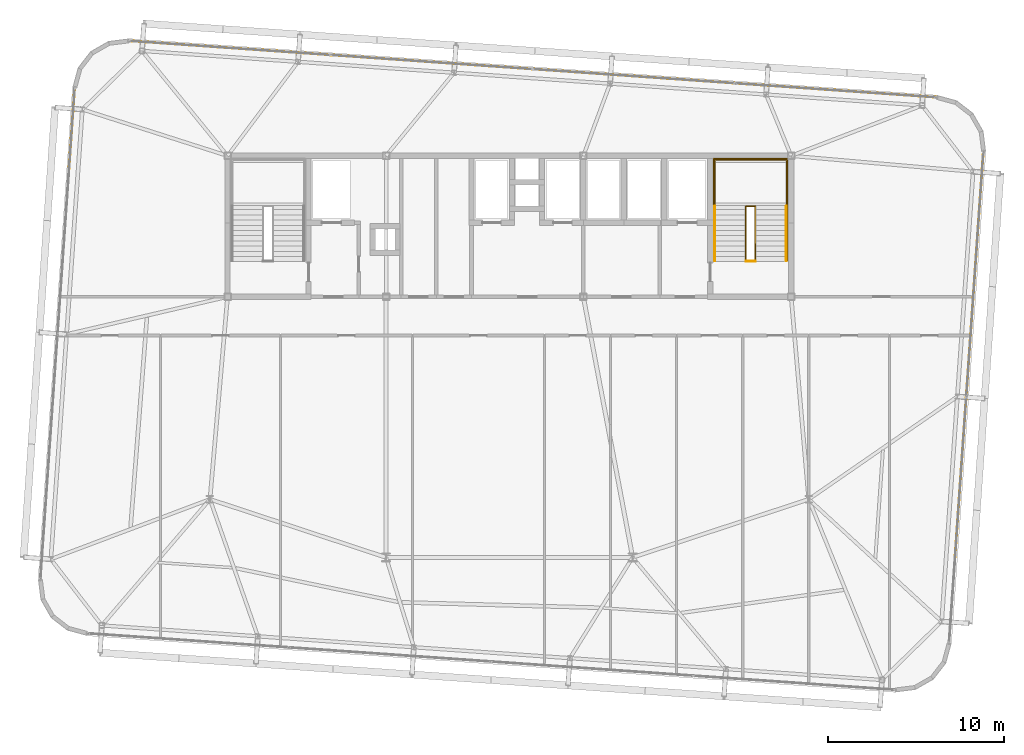
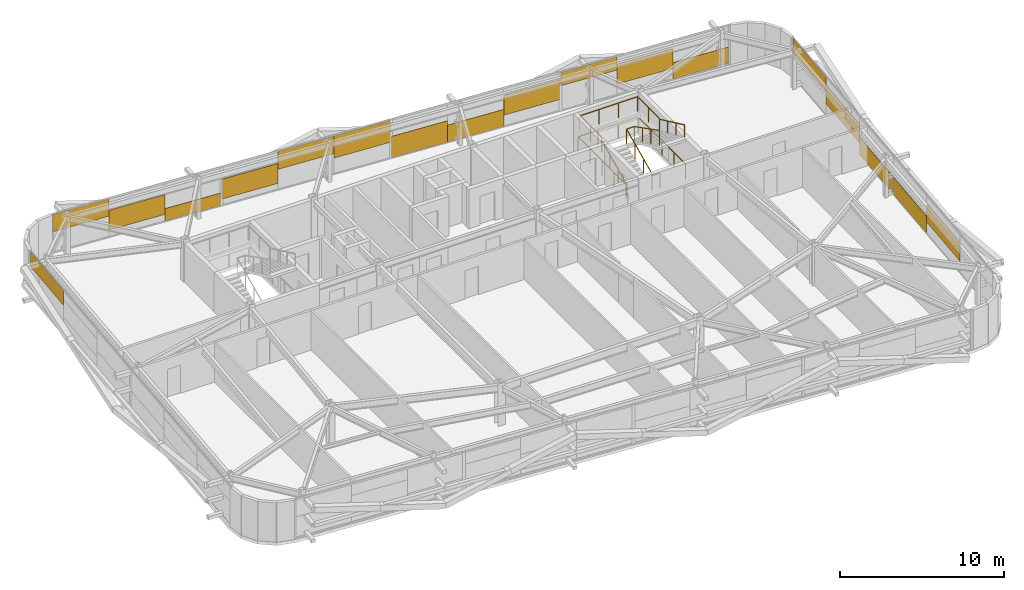
# One storey, part 39 of 39: 18 coverings, 6 railings.
"""IFC4 building model written with IfcOpenShell, lengths in metres."""

from ifc_helpers import new_model, si_unit, direction, frame, origin, origin_2d, place, context, subcontext, project, spatial, rectangle, extrude, source, transform, mapped, material, layer, layer_set, type_object, element, save


model = new_model("IFC4")

# Units and contexts
model_context = context("Model", 3, precision=1e-05, world=origin(), true_north=direction((0.0, 1.0)))
body_context = subcontext(model_context, "Body", "Model", "MODEL_VIEW")
ifc_project = project(units=[si_unit("LENGTHUNIT", "METRE"), si_unit("AREAUNIT", "SQUARE_METRE"), si_unit("VOLUMEUNIT", "CUBIC_METRE"), si_unit("PLANEANGLEUNIT", "RADIAN"), si_unit("MASSUNIT", "GRAM", prefix="KILO")], contexts=[model_context])

# Site, building, storey
site_placement = place(None, origin())
site = spatial("IfcSite", under=ifc_project, at=site_placement, CompositionType="ELEMENT")
building_placement = place(site_placement, origin())
building = spatial("IfcBuilding", under=site, at=building_placement, Name="Taldren Reach Tower", CompositionType="ELEMENT")
storey_placement = place(building_placement, frame((0.0, 0.0, 136.14990234375)))
storey = spatial("IfcBuildingStorey", under=building, at=storey_placement, Name="L41", CompositionType="ELEMENT", Elevation=136.14990234375)

# Railings
ifc_material_1 = material(Name="Steel Gr 350 (C350L0)", Category="steel")
ifc_layer_1 = layer(ifc_material_1, 0.050048828125)
ifc_layer_set_1 = layer_set([ifc_layer_1], Name="Steel Gr 350 (C350L0)")
railing_type_1 = type_object("IfcRailingType", Name="RL-STAIR-GR", PredefinedType="GUARDRAIL", material=ifc_layer_set_1)
railing_1_placement = place(storey_placement, frame((46.659912109375, 29.135009765625, 1.5751953125)))
element("IfcRailing", 1, at=railing_1_placement, inside=storey, type_object=railing_type_1, Name="Stair half-landing perimeter guard ST2-L41", PredefinedType="GUARDRAIL", context=body_context, shape_type="SweptSolid", body=[
    extrude(rectangle(XDim=0.047852, YDim=0.047852, at=origin_2d()), frame((0.0, 0.0, 1.09619140625), z_axis=(0.0, 1.0, 0.0), x_axis=(-1.0, 0.0, 0.0)), (0.0, 0.0, 1.0), 2.64501953125),
    extrude(rectangle(XDim=0.047852, YDim=0.047852, at=origin_2d()), frame((0.0, 2.64501953125, 1.09619140625), z_axis=(1.0, 0.0, 0.0), x_axis=(0.0, 1.0, 0.0)), (0.0, 0.0, 1.0), 4.080078125),
    extrude(rectangle(XDim=0.047852, YDim=0.047852, at=origin_2d()), frame((4.080078125, 2.64501953125, 1.09619140625), z_axis=(0.0, -1.0, 0.0), x_axis=(1.0, 0.0, 0.0)), (0.0, 0.0, 1.0), 2.64501953125),
    extrude(rectangle(XDim=0.041992, YDim=0.041992, at=origin_2d()), origin(), (0.0, 0.0, 1.0), 1.072021484375),
    extrude(rectangle(XDim=0.041992, YDim=0.041992, at=origin_2d()), frame((0.0, 1.322509765625, 0.0)), (0.0, 0.0, 1.0), 1.072021484375),
    extrude(rectangle(XDim=0.041992, YDim=0.041992, at=origin_2d()), frame((0.0, 2.64501953125, 0.0)), (0.0, 0.0, 1.0), 1.072021484375),
    extrude(rectangle(XDim=0.041992, YDim=0.041992, at=origin_2d()), frame((1.360107421875, 2.64501953125, 0.0)), (0.0, 0.0, 1.0), 1.072021484375),
    extrude(rectangle(XDim=0.041992, YDim=0.041992, at=origin_2d()), frame((2.719970703125, 2.64501953125, 0.0)), (0.0, 0.0, 1.0), 1.072021484375),
    extrude(rectangle(XDim=0.041992, YDim=0.041992, at=origin_2d()), frame((4.080078125, 2.64501953125, 0.0)), (0.0, 0.0, 1.0), 1.072021484375),
    extrude(rectangle(XDim=0.041992, YDim=0.041992, at=origin_2d()), frame((4.080078125, 1.322509765625, 0.0)), (0.0, 0.0, 1.0), 1.072021484375),
    extrude(rectangle(XDim=0.041992, YDim=0.041992, at=origin_2d()), frame((4.080078125, 0.0, 0.0)), (0.0, 0.0, 1.0), 1.072021484375),
])
railing_2_placement = place(storey_placement, frame((48.429931640625, 26.050048828125, 0.13134765625)))
element("IfcRailing", 2, at=railing_2_placement, inside=storey, type_object=railing_type_1, Name="Stairwell inner guard ST2-L41", PredefinedType="GUARDRAIL", context=body_context, shape_type="SweptSolid", body=[
    extrude(rectangle(XDim=0.047852, YDim=0.047852, at=origin_2d()), frame((0.0, 0.0, 1.09619140625), z_axis=(0.0, 0.905710134349, 0.423897573167), x_axis=(-1.0, 0.0, 0.0)), (0.0, 0.0, 1.0), 3.406005859375),
    extrude(rectangle(XDim=0.047852, YDim=0.047852, at=origin_2d()), frame((0.0, 3.0849609375, 2.5400390625), z_axis=(1.0, 0.0, 0.0), x_axis=(0.0, 1.0, 0.0)), (0.0, 0.0, 1.0), 0.5400390625),
    extrude(rectangle(XDim=0.047852, YDim=0.047852, at=origin_2d()), frame((0.5400390625, 3.0849609375, 2.5400390625), z_axis=(0.0, -0.890645957773, 0.45469745755), x_axis=(1.0, 0.0, 0.0)), (0.0, 0.0, 1.0), 3.463623046875),
    extrude(rectangle(XDim=0.041992, YDim=0.041992, at=origin_2d()), origin(), (0.0, 0.0, 1.0), 1.072021484375),
    extrude(rectangle(XDim=0.041992, YDim=0.041992, at=origin_2d()), frame((0.0, 1.0283203125, 0.481201171875)), (0.0, 0.0, 1.0), 1.072021484375),
    extrude(rectangle(XDim=0.041992, YDim=0.041992, at=origin_2d()), frame((0.0, 2.056640625, 0.962646484375)), (0.0, 0.0, 1.0), 1.072021484375),
    extrude(rectangle(XDim=0.041992, YDim=0.041992, at=origin_2d()), frame((0.0, 3.0849609375, 1.44384765625)), (0.0, 0.0, 1.0), 1.072021484375),
    extrude(rectangle(XDim=0.041992, YDim=0.041992, at=origin_2d()), frame((0.5400390625, 3.0849609375, 1.44384765625)), (0.0, 0.0, 1.0), 1.072021484375),
    extrude(rectangle(XDim=0.041992, YDim=0.041992, at=origin_2d()), frame((0.5400390625, 2.056640625, 1.96875)), (0.0, 0.0, 1.0), 1.072021484375),
    extrude(rectangle(XDim=0.041992, YDim=0.041992, at=origin_2d()), frame((0.5400390625, 1.0283203125, 2.493896484375)), (0.0, 0.0, 1.0), 1.072021484375),
    extrude(rectangle(XDim=0.041992, YDim=0.041992, at=origin_2d()), frame((0.5400390625, 0.0, 3.018798828125)), (0.0, 0.0, 1.0), 1.072021484375),
])
railing_3_placement = place(storey_placement, frame((48.429931640625, 26.010009765625, 0.0)))
element("IfcRailing", 3, at=railing_3_placement, inside=storey, type_object=railing_type_1, Name="Stairwell landing slot guard ST2-L41", PredefinedType="GUARDRAIL", context=body_context, shape_type="SweptSolid", body=[
    extrude(rectangle(XDim=0.047852, YDim=0.047852, at=origin_2d()), frame((0.0, 0.0, 1.09619140625), z_axis=(1.0, 0.0, 0.0), x_axis=(0.0, 1.0, 0.0)), (0.0, 0.0, 1.0), 0.5400390625),
    extrude(rectangle(XDim=0.041992, YDim=0.041992, at=origin_2d()), origin(), (0.0, 0.0, 1.0), 1.072021484375),
    extrude(rectangle(XDim=0.041992, YDim=0.041992, at=origin_2d()), frame((0.5400390625, 0.0, 0.0)), (0.0, 0.0, 1.0), 1.072021484375),
])
railing_4_placement = place(storey_placement, frame((46.590087890625, 26.050048828125, 0.0)))
element("IfcRailing", 4, at=railing_4_placement, inside=storey, type_object=railing_type_1, Name="Stairwell floor opening guard ST2-L41", PredefinedType="GUARDRAIL", context=body_context, shape_type="SweptSolid", body=[
    extrude(rectangle(XDim=0.047852, YDim=0.047852, at=origin_2d()), frame((0.0, 0.0, 1.09619140625), z_axis=(0.0, 1.0, 0.0), x_axis=(-1.0, 0.0, 0.0)), (0.0, 0.0, 1.0), 5.800048828125),
    extrude(rectangle(XDim=0.047852, YDim=0.047852, at=origin_2d()), frame((0.0, 5.800048828125, 1.09619140625), z_axis=(1.0, 0.0, 0.0), x_axis=(0.0, 1.0, 0.0)), (0.0, 0.0, 1.0), 4.219970703125),
    extrude(rectangle(XDim=0.047852, YDim=0.047852, at=origin_2d()), frame((4.219970703125, 5.800048828125, 1.09619140625), z_axis=(0.0, -1.0, 0.0), x_axis=(1.0, 0.0, 0.0)), (0.0, 0.0, 1.0), 5.800048828125),
    extrude(rectangle(XDim=0.041992, YDim=0.041992, at=origin_2d()), origin(), (0.0, 0.0, 1.0), 1.072021484375),
    extrude(rectangle(XDim=0.041992, YDim=0.041992, at=origin_2d()), frame((0.0, 1.449951171875, 0.0)), (0.0, 0.0, 1.0), 1.072021484375),
    extrude(rectangle(XDim=0.041992, YDim=0.041992, at=origin_2d()), frame((0.0, 2.89990234375, 0.0)), (0.0, 0.0, 1.0), 1.072021484375),
    extrude(rectangle(XDim=0.041992, YDim=0.041992, at=origin_2d()), frame((0.0, 4.35009765625, 0.0)), (0.0, 0.0, 1.0), 1.072021484375),
    extrude(rectangle(XDim=0.041992, YDim=0.041992, at=origin_2d()), frame((0.0, 5.800048828125, 0.0)), (0.0, 0.0, 1.0), 1.072021484375),
    extrude(rectangle(XDim=0.041992, YDim=0.041992, at=origin_2d()), frame((1.40673828125, 5.800048828125, 0.0)), (0.0, 0.0, 1.0), 1.072021484375),
    extrude(rectangle(XDim=0.041992, YDim=0.041992, at=origin_2d()), frame((2.813232421875, 5.800048828125, 0.0)), (0.0, 0.0, 1.0), 1.072021484375),
    extrude(rectangle(XDim=0.041992, YDim=0.041992, at=origin_2d()), frame((4.219970703125, 5.800048828125, 0.0)), (0.0, 0.0, 1.0), 1.072021484375),
    extrude(rectangle(XDim=0.041992, YDim=0.041992, at=origin_2d()), frame((4.219970703125, 4.35009765625, 0.0)), (0.0, 0.0, 1.0), 1.072021484375),
    extrude(rectangle(XDim=0.041992, YDim=0.041992, at=origin_2d()), frame((4.219970703125, 2.89990234375, 0.0)), (0.0, 0.0, 1.0), 1.072021484375),
    extrude(rectangle(XDim=0.041992, YDim=0.041992, at=origin_2d()), frame((4.219970703125, 1.449951171875, 0.0)), (0.0, 0.0, 1.0), 1.072021484375),
    extrude(rectangle(XDim=0.041992, YDim=0.041992, at=origin_2d()), frame((4.219970703125, 0.0, 0.0)), (0.0, 0.0, 1.0), 1.072021484375),
])
ifc_material_2 = material(Name="Stainless Steel Gr 316", Category="steel")
ifc_layer_2 = layer(ifc_material_2, 0.048095703125)
ifc_layer_set_2 = layer_set([ifc_layer_2], Name="Stainless Steel Gr 316")
railing_type_2 = type_object("IfcRailingType", Name="RL-STAIR-HR", PredefinedType="HANDRAIL", material=ifc_layer_set_2)
railing_5_placement = place(storey_placement, frame((46.669921875, 26.050048828125, 0.13134765625)))
element("IfcRailing", 5, at=railing_5_placement, inside=storey, type_object=railing_type_2, Name="Stair flight handrail ST2-L41-1", PredefinedType="HANDRAIL", context=body_context, shape_type="SweptSolid", body=[
    extrude(rectangle(XDim=0.047852, YDim=0.047852, at=origin_2d()), frame((0.0, 0.0, 0.89599609375), z_axis=(0.0, 0.905710134349, 0.423897573167), x_axis=(-1.0, 0.0, 0.0)), (0.0, 0.0, 1.0), 3.406005859375),
    extrude(rectangle(XDim=0.041992, YDim=0.041992, at=origin_2d()), origin(), (0.0, 0.0, 1.0), 0.871826171875),
    extrude(rectangle(XDim=0.041992, YDim=0.041992, at=origin_2d()), frame((0.0, 1.0283203125, 0.481201171875)), (0.0, 0.0, 1.0), 0.871826171875),
    extrude(rectangle(XDim=0.041992, YDim=0.041992, at=origin_2d()), frame((0.0, 2.056640625, 0.962646484375)), (0.0, 0.0, 1.0), 0.871826171875),
    extrude(rectangle(XDim=0.041992, YDim=0.041992, at=origin_2d()), frame((0.0, 3.0849609375, 1.44384765625)), (0.0, 0.0, 1.0), 0.871826171875),
])
railing_6_placement = place(storey_placement, frame((50.72998046875, 29.135009765625, 1.706298828125)))
element("IfcRailing", 6, at=railing_6_placement, inside=storey, type_object=railing_type_2, Name="Stair flight handrail ST2-L41-2", PredefinedType="HANDRAIL", context=body_context, shape_type="SweptSolid", body=[
    extrude(rectangle(XDim=0.047852, YDim=0.047852, at=origin_2d()), frame((0.0, 0.0, 0.89599609375), z_axis=(0.0, -0.905710134349, 0.423897573167), x_axis=(1.0, 0.0, 0.0)), (0.0, 0.0, 1.0), 3.406005859375),
    extrude(rectangle(XDim=0.041992, YDim=0.041992, at=origin_2d()), origin(), (0.0, 0.0, 1.0), 0.871826171875),
    extrude(rectangle(XDim=0.041992, YDim=0.041992, at=origin_2d()), frame((0.0, -1.0283203125, 0.481201171875)), (0.0, 0.0, 1.0), 0.871826171875),
    extrude(rectangle(XDim=0.041992, YDim=0.041992, at=origin_2d()), frame((0.0, -2.056640625, 0.962646484375)), (0.0, 0.0, 1.0), 0.871826171875),
    extrude(rectangle(XDim=0.041992, YDim=0.041992, at=origin_2d()), frame((0.0, -3.0849609375, 1.44384765625)), (0.0, 0.0, 1.0), 0.871826171875),
])

# Coverings
ifc_material_3 = material(Name="Pale Champagne Fluoropolymer Aluminium Spandrel Cladding", Category="aluminium")
ifc_layer_3 = layer(ifc_material_3, 0.0439453125)
ifc_layer_set_3 = layer_set([ifc_layer_3], Name="Pale Champagne Fluoropolymer Aluminium Spandrel Cladding")
covering_type = type_object("IfcCoveringType", Name="CV-CLAD-044", PredefinedType="CLADDING", material=ifc_layer_set_3)
shared_shape_1 = source(origin(), body_context, "Body", "SweptSolid", [
    extrude(rectangle(XDim=3.79833984375, YDim=0.0439453125, at=origin_2d()), origin(), (0.0, 0.0, 1.0), 1.22216796875),
])
covering_1_placement = place(storey_placement, frame((57.3056640625, 35.451904296875, 0.05517578125), z_axis=(0.0, 0.0, 1.0), x_axis=(-0.99756404731, 0.06975651593, 0.0)))
element("IfcCovering", 7, at=covering_1_placement, inside=storey, type_object=covering_type, Name="Diagrid closure cladding strip CW-4 panel 1.1 1", PredefinedType="CLADDING", context=body_context, shape_type="MappedRepresentation", body=[
    mapped(shared_shape_1, transform((0.0, 0.0, 0.0), scale=1.0)),
])
shared_shape_2 = source(origin(), body_context, "Body", "SweptSolid", [
    extrude(rectangle(XDim=3.79833984375, YDim=0.0439453125, at=origin_2d()), origin(), (0.0, 0.0, 1.0), 1.474365234375),
])
for number, where, z_axis, x_axis, name in (
    (8, (53.5166015625, 35.716796875, 0.84228515625), (0.0, 0.0, 1.0), (-0.99756404731, 0.06975651593, 0.0), "Diagrid closure cladding strip CW-4 panel 1.1 2"),
    (9, (19.135498046875, 38.12109375, 0.5537109375), (0.0, 0.0, 1.0), (-0.99756404731, 0.06975651593, 0.0), "Diagrid closure cladding strip CW-4 panel 4.1 2"),
):
    element("IfcCovering", number, at=place(storey_placement, frame(where, z_axis=z_axis, x_axis=x_axis)), inside=storey, type_object=covering_type, Name=name, PredefinedType="CLADDING", context=body_context, shape_type="MappedRepresentation", body=[
        mapped(shared_shape_2, transform((0.0, 0.0, 0.0), scale=1.0)),
    ])
shared_shape_3 = source(origin(), body_context, "Body", "SweptSolid", [
    extrude(rectangle(XDim=3.79833984375, YDim=0.0439453125, at=origin_2d()), origin(), (0.0, 0.0, 1.0), 0.993408203125),
])
covering_2_placement = place(storey_placement, frame((49.7275390625, 35.981689453125, 1.8818359375), z_axis=(0.0, 0.0, 1.0), x_axis=(-0.99756404731, 0.06975651593, 0.0)))
element("IfcCovering", 10, at=covering_2_placement, inside=storey, type_object=covering_type, Name="Diagrid closure cladding strip CW-4 panel 1.1 3", PredefinedType="CLADDING", context=body_context, shape_type="MappedRepresentation", body=[
    mapped(shared_shape_3, transform((0.0, 0.0, 0.0), scale=1.0)),
])
shared_shape_4 = source(origin(), body_context, "Body", "SweptSolid", [
    extrude(rectangle(XDim=3.81005859375, YDim=0.0439453125, at=origin_2d()), origin(), (0.0, 0.0, 1.0), 1.477783203125),
])
for number, where, z_axis, x_axis, name in (
    (11, (45.86279296875, 36.251953125, 0.88232421875), (0.0, 0.0, 1.0), (-0.99756404731, 0.06975651593, 0.0), "Diagrid closure cladding strip CW-4 panel 2.1 1"),
    (12, (26.789306640625, 37.585693359375, 0.51025390625), (0.0, 0.0, 1.0), (-0.99756404731, 0.06975651593, 0.0), "Diagrid closure cladding strip CW-4 panel 3.1 3"),
):
    element("IfcCovering", number, at=place(storey_placement, frame(where, z_axis=z_axis, x_axis=x_axis)), inside=storey, type_object=covering_type, Name=name, PredefinedType="CLADDING", context=body_context, shape_type="MappedRepresentation", body=[
        mapped(shared_shape_4, transform((0.0, 0.0, 0.0), scale=1.0)),
    ])
shared_shape_5 = source(origin(), body_context, "Body", "SweptSolid", [
    extrude(rectangle(XDim=3.81005859375, YDim=0.0439453125, at=origin_2d()), origin(), (0.0, 0.0, 1.0), 1.26220703125),
])
covering_3_placement = place(storey_placement, frame((42.06201171875, 36.517822265625, 0.05517578125), z_axis=(0.0, 0.0, 1.0), x_axis=(-0.99756404731, 0.06975651593, 0.0)))
element("IfcCovering", 13, at=covering_3_placement, inside=storey, type_object=covering_type, Name="Diagrid closure cladding strip CW-4 panel 2.1 2", PredefinedType="CLADDING", context=body_context, shape_type="MappedRepresentation", body=[
    mapped(shared_shape_5, transform((0.0, 0.0, 0.0), scale=1.0)),
])
shared_shape_6 = source(origin(), body_context, "Body", "SweptSolid", [
    extrude(rectangle(XDim=3.81005859375, YDim=0.0439453125, at=origin_2d()), origin(), (0.0, 0.0, 1.0), 1.587890625),
])
covering_4_placement = place(storey_placement, frame((38.261474609375, 36.78369140625, 0.05517578125), z_axis=(0.0, 0.0, 1.0), x_axis=(-0.99756404731, 0.06975651593, 0.0)))
element("IfcCovering", 14, at=covering_4_placement, inside=storey, type_object=covering_type, Name="Diagrid closure cladding strip CW-4 panel 2.1 3", PredefinedType="CLADDING", context=body_context, shape_type="MappedRepresentation", body=[
    mapped(shared_shape_6, transform((0.0, 0.0, 0.0), scale=1.0)),
])
shared_shape_7 = source(origin(), body_context, "Body", "SweptSolid", [
    extrude(rectangle(XDim=3.81005859375, YDim=0.0439453125, at=origin_2d()), origin(), (0.0, 0.0, 1.0), 1.64794921875),
])
covering_5_placement = place(storey_placement, frame((34.390869140625, 37.05419921875, 1.22705078125), z_axis=(0.0, 0.0, 1.0), x_axis=(-0.99756404731, 0.06975651593, 0.0)))
element("IfcCovering", 15, at=covering_5_placement, inside=storey, type_object=covering_type, Name="Diagrid closure cladding strip CW-4 panel 3.1 1", PredefinedType="CLADDING", context=body_context, shape_type="MappedRepresentation", body=[
    mapped(shared_shape_7, transform((0.0, 0.0, 0.0), scale=1.0)),
])
shared_shape_8 = source(origin(), body_context, "Body", "SweptSolid", [
    extrude(rectangle(XDim=3.81005859375, YDim=0.0439453125, at=origin_2d()), origin(), (0.0, 0.0, 1.0), 1.322265625),
])
covering_6_placement = place(storey_placement, frame((30.590087890625, 37.320068359375, 1.552734375), z_axis=(0.0, 0.0, 1.0), x_axis=(-0.99756404731, 0.06975651593, 0.0)))
element("IfcCovering", 16, at=covering_6_placement, inside=storey, type_object=covering_type, Name="Diagrid closure cladding strip CW-4 panel 3.1 2", PredefinedType="CLADDING", context=body_context, shape_type="MappedRepresentation", body=[
    mapped(shared_shape_8, transform((0.0, 0.0, 0.0), scale=1.0)),
])
shared_shape_9 = source(origin(), body_context, "Body", "SweptSolid", [
    extrude(rectangle(XDim=3.79833984375, YDim=0.0439453125, at=origin_2d()), origin(), (0.0, 0.0, 1.0), 0.93359375),
])
covering_7_placement = place(storey_placement, frame((22.924560546875, 37.85595703125, 0.054931640625), z_axis=(0.0, 0.0, 1.0), x_axis=(-0.99756404731, 0.06975651593, 0.0)))
element("IfcCovering", 17, at=covering_7_placement, inside=storey, type_object=covering_type, Name="Diagrid closure cladding strip CW-4 panel 4.1 1", PredefinedType="CLADDING", context=body_context, shape_type="MappedRepresentation", body=[
    mapped(shared_shape_9, transform((0.0, 0.0, 0.0), scale=1.0)),
])
shared_shape_10 = source(origin(), body_context, "Body", "SweptSolid", [
    extrude(rectangle(XDim=3.79833984375, YDim=0.0439453125, at=origin_2d()), origin(), (0.0, 0.0, 1.0), 1.2822265625),
])
covering_8_placement = place(storey_placement, frame((15.346435546875, 38.385986328125, 1.5927734375), z_axis=(0.0, 0.0, 1.0), x_axis=(-0.99756404731, 0.06975651593, 0.0)))
element("IfcCovering", 18, at=covering_8_placement, inside=storey, type_object=covering_type, Name="Diagrid closure cladding strip CW-4 panel 4.1 3", PredefinedType="CLADDING", context=body_context, shape_type="MappedRepresentation", body=[
    mapped(shared_shape_10, transform((0.0, 0.0, 0.0), scale=1.0)),
])
shared_shape_11 = source(origin(), body_context, "Body", "SweptSolid", [
    extrude(rectangle(XDim=4.631591796875, YDim=0.0439453125, at=origin_2d()), origin(), (0.0, 0.0, 1.0), 1.306640625),
])
for number, where, z_axis, x_axis, name in (
    (19, (60.4599609375, 11.33056640625, 0.892333984375), (0.0, 0.0, 1.0), (0.069756437251, 0.997564052812, 0.0), "Diagrid closure cladding strip CW-4 panel 1.1 2"),
    (20, (61.43408203125, 25.261474609375, 0.892333984375), (0.0, 0.0, 1.0), (0.069756437251, 0.997564052812, 0.0), "Diagrid closure cladding strip CW-4 panel 2.1 2"),
):
    element("IfcCovering", number, at=place(storey_placement, frame(where, z_axis=z_axis, x_axis=x_axis)), inside=storey, type_object=covering_type, Name=name, PredefinedType="CLADDING", context=body_context, shape_type="MappedRepresentation", body=[
        mapped(shared_shape_11, transform((0.0, 0.0, 0.0), scale=1.0)),
    ])
shared_shape_12 = source(origin(), body_context, "Body", "SweptSolid", [
    extrude(rectangle(XDim=4.631591796875, YDim=0.0439453125, at=origin_2d()), origin(), (0.0, 0.0, 1.0), 1.103515625),
])
for number, where, z_axis, x_axis, name in (
    (21, (10.1630859375, 33.48974609375, 1.771728515625), (0.0, 0.0, 1.0), (-0.069756437251, -0.997564052812, 0.0), "Diagrid closure cladding strip CW-4 panel 1.1 1"),
    (22, (61.757080078125, 29.882080078125, 1.771728515625), (0.0, 0.0, 1.0), (0.069756437251, 0.997564052812, 0.0), "Diagrid closure cladding strip CW-4 panel 2.1 3"),
):
    element("IfcCovering", number, at=place(storey_placement, frame(where, z_axis=z_axis, x_axis=x_axis)), inside=storey, type_object=covering_type, Name=name, PredefinedType="CLADDING", context=body_context, shape_type="MappedRepresentation", body=[
        mapped(shared_shape_12, transform((0.0, 0.0, 0.0), scale=1.0)),
    ])
shared_shape_13 = source(origin(), body_context, "Body", "SweptSolid", [
    extrude(rectangle(XDim=4.631591796875, YDim=0.0439453125, at=origin_2d()), origin(), (0.0, 0.0, 1.0), 1.2646484375),
])
for number, where, z_axis, x_axis, name in (
    (23, (60.782958984375, 15.950927734375, 0.05517578125), (0.0, 0.0, 1.0), (0.069756437251, 0.997564052812, 0.0), "Diagrid closure cladding strip CW-4 panel 1.1 3"),
    (24, (61.111083984375, 20.64111328125, 0.05517578125), (0.0, 0.0, 1.0), (0.069756437251, 0.997564052812, 0.0), "Diagrid closure cladding strip CW-4 panel 2.1 1"),
):
    element("IfcCovering", number, at=place(storey_placement, frame(where, z_axis=z_axis, x_axis=x_axis)), inside=storey, type_object=covering_type, Name=name, PredefinedType="CLADDING", context=body_context, shape_type="MappedRepresentation", body=[
        mapped(shared_shape_13, transform((0.0, 0.0, 0.0), scale=1.0)),
    ])

save(model, "model.ifc")
